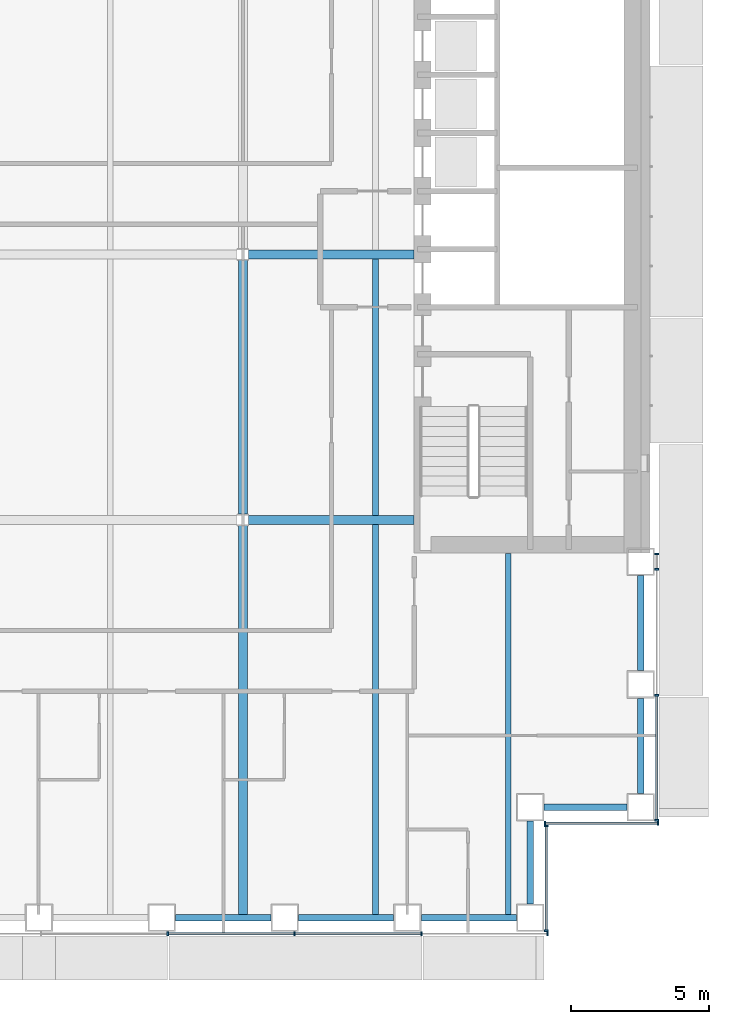
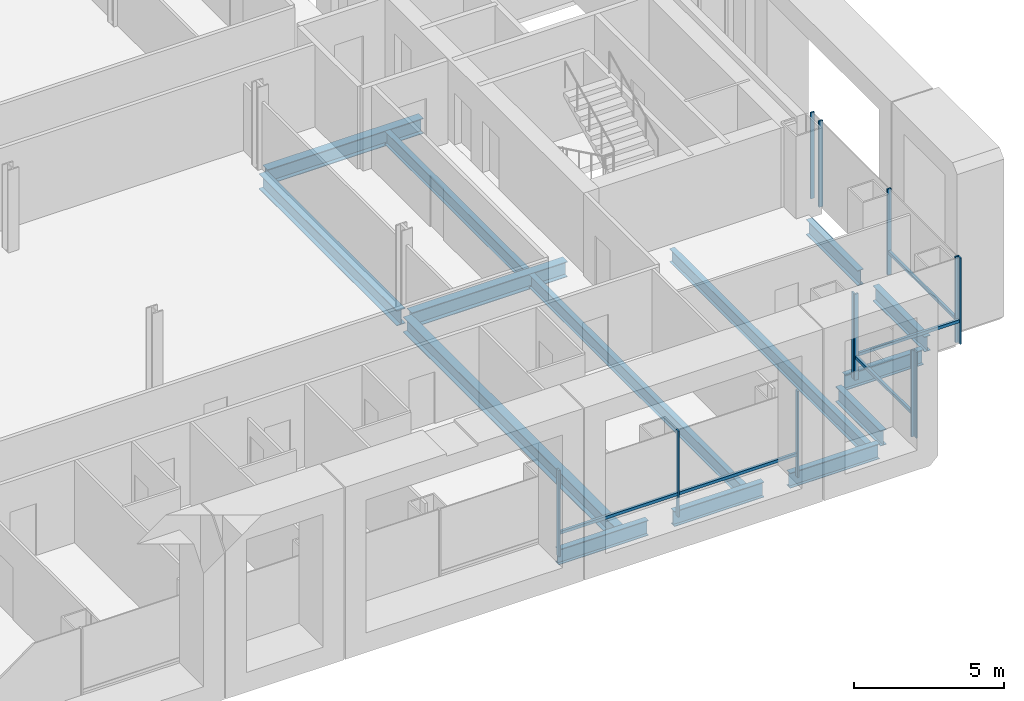
# One storey, part 4 of 25: 17 members, 14 beams, 4 elements without a shape of their own.
"""IFC4 building model written with IfcOpenShell, lengths in metres."""

from ifc_helpers import new_model, si_unit, direction, frame, origin, origin_2d, place, context, subcontext, project, spatial, rectangle, i_section, extrude, material, material_profile, profile_set, type_object, element, aggregate, save


model = new_model("IFC4")

# Units and contexts
model_context = context("Model", 3, precision=1e-05, world=origin(), true_north=direction((0.0, 1.0)))
body_context = subcontext(model_context, "Body", "Model", "MODEL_VIEW")
ifc_project = project(units=[si_unit("LENGTHUNIT", "METRE"), si_unit("AREAUNIT", "SQUARE_METRE"), si_unit("VOLUMEUNIT", "CUBIC_METRE"), si_unit("PLANEANGLEUNIT", "RADIAN"), si_unit("MASSUNIT", "GRAM", prefix="KILO")], contexts=[model_context])

# Site, building, storey
site_placement = place(None, origin())
site = spatial("IfcSite", under=ifc_project, at=site_placement, CompositionType="ELEMENT")
building_placement = place(site_placement, origin())
building = spatial("IfcBuilding", under=site, at=building_placement, Name="Cobrizo Arcos Hotel Tower", CompositionType="ELEMENT")
storey_placement = place(building_placement, frame((0.0, 0.0, 46.0)))
storey = spatial("IfcBuildingStorey", under=building, at=storey_placement, Name="L09", CompositionType="ELEMENT", Elevation=46.0)

# Curtain wall, members
ifc_material_1 = material(Name="Aluminium 6063-T6 anodised bronze", Category="aluminium")
curtain_wall_type = type_object("IfcCurtainWallType", Name="CW-A guest facade", PredefinedType="NOTDEFINED", material=ifc_material_1)
curtain_wall_1_placement = place(storey_placement, origin())
curtain_wall_1 = element("IfcCurtainWall", 1, at=curtain_wall_1_placement, inside=storey, type_object=curtain_wall_type, Name="CW-A L09 S face", PredefinedType="NOTDEFINED")
ifc_material_profile_1 = material_profile(ifc_material_1, rectangle(XDim=0.14990234375, YDim=0.06005859375, at=origin_2d()), Name="CW-A mullion 150x60")
ifc_profile_set_1 = profile_set([ifc_material_profile_1], Name="Aluminium 6063-T6 anodised bronze")
member_type_1 = type_object("IfcMemberType", Name="CW-A mullion 150x60", PredefinedType="MULLION", material=ifc_profile_set_1)
member_1_placement = place(storey_placement, frame((6.88330078125, -24.574951171875, 0.0), z_axis=(0.0, 0.0, 1.0), x_axis=(0.0, -1.0, 0.0)))
member_1 = element("IfcMember", 2, at=member_1_placement, type_object=member_type_1, Name="CW-A mullion 7", PredefinedType="MULLION", context=body_context, shape_type="SweptSolid", body=[
    extrude(rectangle(XDim=0.14990234375, YDim=0.06005859375, at=origin_2d()), origin(), (0.0, 0.0, 1.0), 3.5),
])
member_2_placement = place(storey_placement, frame((11.47216796875, -24.574951171875, 0.0), z_axis=(0.0, 0.0, 1.0), x_axis=(0.0, -1.0, 0.0)))
member_2 = element("IfcMember", 3, at=member_2_placement, type_object=member_type_1, Name="CW-A mullion 8", PredefinedType="MULLION", context=body_context, shape_type="SweptSolid", body=[
    extrude(rectangle(XDim=0.14990234375, YDim=0.06005859375, at=origin_2d()), origin(), (0.0, 0.0, 1.0), 3.5),
])
member_3_placement = place(storey_placement, frame((16.06103515625, -24.574951171875, 0.0), z_axis=(0.0, 0.0, 1.0), x_axis=(0.0, -1.0, 0.0)))
member_3 = element("IfcMember", 4, at=member_3_placement, type_object=member_type_1, Name="CW-A mullion 9", PredefinedType="MULLION", context=body_context, shape_type="SweptSolid", body=[
    extrude(rectangle(XDim=0.14990234375, YDim=0.06005859375, at=origin_2d()), origin(), (0.0, 0.0, 1.0), 3.5),
])
member_4_placement = place(storey_placement, frame((20.6201171875, -24.574951171875, 0.0), z_axis=(0.0, 0.0, 1.0), x_axis=(0.0, -1.0, 0.0)))
member_4 = element("IfcMember", 5, at=member_4_placement, type_object=member_type_1, Name="CW-A mullion 10", PredefinedType="MULLION", context=body_context, shape_type="SweptSolid", body=[
    extrude(rectangle(XDim=0.14990234375, YDim=0.06005859375, at=origin_2d()), origin(), (0.0, 0.0, 1.0), 3.5),
])

curtain_wall_2_placement = place(storey_placement, origin())
curtain_wall_2 = element("IfcCurtainWall", 6, at=curtain_wall_2_placement, inside=storey, type_object=curtain_wall_type, Name="CW-A L09 E face", PredefinedType="NOTDEFINED")
member_5_placement = place(storey_placement, frame((20.574951171875, -24.469970703125, 0.0), z_axis=(0.0, 0.0, 1.0), x_axis=(1.0, 0.0, 0.0)))
member_5 = element("IfcMember", 7, at=member_5_placement, type_object=member_type_1, Name="CW-A mullion 1", PredefinedType="MULLION", context=body_context, shape_type="SweptSolid", body=[
    extrude(rectangle(XDim=0.14990234375, YDim=0.06005859375, at=origin_2d()), origin(), (0.0, 0.0, 1.0), 3.5),
])
member_6_placement = place(storey_placement, frame((20.574951171875, -20.679931640625, 0.0), z_axis=(0.0, 0.0, 1.0), x_axis=(1.0, 0.0, 0.0)))
member_6 = element("IfcMember", 8, at=member_6_placement, type_object=member_type_1, Name="CW-A mullion 2", PredefinedType="MULLION", context=body_context, shape_type="SweptSolid", body=[
    extrude(rectangle(XDim=0.14990234375, YDim=0.06005859375, at=origin_2d()), origin(), (0.0, 0.0, 1.0), 3.5),
])

curtain_wall_3_placement = place(storey_placement, origin())
curtain_wall_3 = element("IfcCurtainWall", 9, at=curtain_wall_3_placement, inside=storey, type_object=curtain_wall_type, Name="CW-A L09 S face", PredefinedType="NOTDEFINED")
member_7_placement = place(storey_placement, frame((20.530029296875, -20.574951171875, 0.0), z_axis=(0.0, 0.0, 1.0), x_axis=(0.0, -1.0, 0.0)))
member_7 = element("IfcMember", 10, at=member_7_placement, type_object=member_type_1, Name="CW-A mullion 1", PredefinedType="MULLION", context=body_context, shape_type="SweptSolid", body=[
    extrude(rectangle(XDim=0.14990234375, YDim=0.06005859375, at=origin_2d()), origin(), (0.0, 0.0, 1.0), 3.5),
])
member_8_placement = place(storey_placement, frame((24.6201171875, -20.574951171875, 0.0), z_axis=(0.0, 0.0, 1.0), x_axis=(0.0, -1.0, 0.0)))
member_8 = element("IfcMember", 11, at=member_8_placement, type_object=member_type_1, Name="CW-A mullion 2", PredefinedType="MULLION", context=body_context, shape_type="SweptSolid", body=[
    extrude(rectangle(XDim=0.14990234375, YDim=0.06005859375, at=origin_2d()), origin(), (0.0, 0.0, 1.0), 3.5),
])

curtain_wall_4_placement = place(storey_placement, origin())
curtain_wall_4 = element("IfcCurtainWall", 12, at=curtain_wall_4_placement, inside=storey, type_object=curtain_wall_type, Name="CW-A L09 E face", PredefinedType="NOTDEFINED")
member_9_placement = place(storey_placement, frame((24.574951171875, -20.469970703125, 0.0), z_axis=(0.0, 0.0, 1.0), x_axis=(1.0, 0.0, 0.0)))
member_9 = element("IfcMember", 13, at=member_9_placement, type_object=member_type_1, Name="CW-A mullion 1", PredefinedType="MULLION", context=body_context, shape_type="SweptSolid", body=[
    extrude(rectangle(XDim=0.14990234375, YDim=0.06005859375, at=origin_2d()), origin(), (0.0, 0.0, 1.0), 3.5),
])
member_10_placement = place(storey_placement, frame((24.574951171875, -15.9443359375, 0.0), z_axis=(0.0, 0.0, 1.0), x_axis=(1.0, 0.0, 0.0)))
member_10 = element("IfcMember", 14, at=member_10_placement, type_object=member_type_1, Name="CW-A mullion 2", PredefinedType="MULLION", context=body_context, shape_type="SweptSolid", body=[
    extrude(rectangle(XDim=0.14990234375, YDim=0.06005859375, at=origin_2d()), origin(), (0.0, 0.0, 1.0), 3.5),
])
member_11_placement = place(storey_placement, frame((24.574951171875, -11.388916015625, 0.0), z_axis=(0.0, 0.0, 1.0), x_axis=(1.0, 0.0, 0.0)))
member_11 = element("IfcMember", 15, at=member_11_placement, type_object=member_type_1, Name="CW-A mullion 3", PredefinedType="MULLION", context=body_context, shape_type="SweptSolid", body=[
    extrude(rectangle(XDim=0.14990234375, YDim=0.06005859375, at=origin_2d()), origin(), (0.0, 0.0, 1.0), 3.5),
])
member_12_placement = place(storey_placement, frame((24.574951171875, -10.830078125, 0.0), z_axis=(0.0, 0.0, 1.0), x_axis=(1.0, 0.0, 0.0)))
member_12 = element("IfcMember", 16, at=member_12_placement, type_object=member_type_1, Name="CW-A mullion 4", PredefinedType="MULLION", context=body_context, shape_type="SweptSolid", body=[
    extrude(rectangle(XDim=0.14990234375, YDim=0.06005859375, at=origin_2d()), origin(), (0.0, 0.0, 1.0), 3.5),
])

# Member
ifc_material_profile_2 = material_profile(ifc_material_1, rectangle(XDim=0.10009765625, YDim=0.1201171875, at=origin_2d()), Name="CW-A transom 120x100")
ifc_profile_set_2 = profile_set([ifc_material_profile_2], Name="Aluminium 6063-T6 anodised bronze")
member_type_2 = type_object("IfcMemberType", Name="CW-A transom 120x100", PredefinedType="USERDEFINED", material=ifc_profile_set_2)
member_13_placement = place(storey_placement, frame((6.913330078125, -24.574951171875, 0.929931640625), z_axis=(1.0, 0.0, 0.0), x_axis=(0.0, 1.0, 0.0)))
member_13 = element("IfcMember", 17, at=member_13_placement, type_object=member_type_2, Name="CW-A transom 443", ObjectType="TRANSOM", PredefinedType="USERDEFINED", context=body_context, shape_type="SweptSolid", body=[
    extrude(rectangle(XDim=0.10009765625, YDim=0.1201171875, at=origin_2d()), origin(), (0.0, 0.0, 1.0), 4.52880859375),
])

member_14_placement = place(storey_placement, frame((11.502197265625, -24.574951171875, 0.929931640625), z_axis=(1.0, 0.0, 0.0), x_axis=(0.0, 1.0, 0.0)))
member_14 = element("IfcMember", 18, at=member_14_placement, type_object=member_type_2, Name="CW-A transom 444", ObjectType="TRANSOM", PredefinedType="USERDEFINED", context=body_context, shape_type="SweptSolid", body=[
    extrude(rectangle(XDim=0.10009765625, YDim=0.1201171875, at=origin_2d()), origin(), (0.0, 0.0, 1.0), 4.52880859375),
])

aggregate(curtain_wall_1, [member_1, member_2, member_3, member_4, member_13, member_14])

member_15_placement = place(storey_placement, frame((20.574951171875, -24.43994140625, 0.929931640625), z_axis=(0.0, 1.0, 0.0), x_axis=(-1.0, 0.0, 0.0)))
member_15 = element("IfcMember", 19, at=member_15_placement, type_object=member_type_2, Name="CW-A transom 446", ObjectType="TRANSOM", PredefinedType="USERDEFINED", context=body_context, shape_type="SweptSolid", body=[
    extrude(rectangle(XDim=0.10009765625, YDim=0.1201171875, at=origin_2d()), origin(), (0.0, 0.0, 1.0), 3.72998046875),
])

aggregate(curtain_wall_2, [member_5, member_6, member_15])

member_16_placement = place(storey_placement, frame((20.56005859375, -20.574951171875, 0.929931640625), z_axis=(1.0, 0.0, 0.0), x_axis=(0.0, 1.0, 0.0)))
member_16 = element("IfcMember", 20, at=member_16_placement, type_object=member_type_2, Name="CW-A transom 447", ObjectType="TRANSOM", PredefinedType="USERDEFINED", context=body_context, shape_type="SweptSolid", body=[
    extrude(rectangle(XDim=0.10009765625, YDim=0.1201171875, at=origin_2d()), origin(), (0.0, 0.0, 1.0), 4.030029296875),
])

aggregate(curtain_wall_3, [member_7, member_8, member_16])

member_17_placement = place(storey_placement, frame((24.574951171875, -20.43994140625, 0.929931640625), z_axis=(0.0, 1.0, 0.0), x_axis=(-1.0, 0.0, 0.0)))
member_17 = element("IfcMember", 21, at=member_17_placement, type_object=member_type_2, Name="CW-A transom 448", ObjectType="TRANSOM", PredefinedType="USERDEFINED", context=body_context, shape_type="SweptSolid", body=[
    extrude(rectangle(XDim=0.10009765625, YDim=0.1201171875, at=origin_2d()), origin(), (0.0, 0.0, 1.0), 4.465576171875),
])

aggregate(curtain_wall_4, [member_9, member_10, member_11, member_12, member_17])

# Beams
ifc_material_2 = material(Name="Steel ASTM A992 Grade 50", Category="steel")
ifc_material_profile_3 = material_profile(ifc_material_2, i_section(OverallWidth=0.209228515625, OverallDepth=0.533447265625, WebThickness=0.01025390625, FlangeThickness=0.015625, at=origin_2d()), Name="W21X62")
ifc_profile_set_3 = profile_set([ifc_material_profile_3], Name="Steel ASTM A992 Grade 50")
beam_type_1 = type_object("IfcBeamType", Name="W21X62 joist", PredefinedType="JOIST", material=ifc_profile_set_3)
beam_1_placement = place(storey_placement, frame((14.39990234375, -23.909912109375, -0.416748046875), z_axis=(0.0, 1.0, 0.0), x_axis=(-1.0, 0.0, 0.0)))
element("IfcBeam", 22, at=beam_1_placement, inside=storey, type_object=beam_type_1, Name="Floor joist J1, L09, no. 015", PredefinedType="JOIST", context=body_context, shape_type="SweptSolid", body=[
    extrude(i_section(OverallWidth=0.209228515625, OverallDepth=0.533447265625, WebThickness=0.01025390625, FlangeThickness=0.015625, at=origin_2d()), origin(), (0.0, 0.0, 1.0), 14.14599609375),
])
beam_2_placement = place(storey_placement, frame((14.39990234375, -9.43603515625, -0.416748046875), z_axis=(0.0, 1.0, 0.0), x_axis=(-1.0, 0.0, 0.0)))
element("IfcBeam", 23, at=beam_2_placement, inside=storey, type_object=beam_type_1, Name="Floor joist J1, L09, no. 016", PredefinedType="JOIST", context=body_context, shape_type="SweptSolid", body=[
    extrude(i_section(OverallWidth=0.209228515625, OverallDepth=0.533447265625, WebThickness=0.01025390625, FlangeThickness=0.015625, at=origin_2d()), origin(), (0.0, 0.0, 1.0), 9.272216796875),
])
beam_3_placement = place(storey_placement, frame((19.199951171875, -23.909912109375, -0.416748046875), z_axis=(0.0, 1.0, 0.0), x_axis=(-1.0, 0.0, 0.0)))
element("IfcBeam", 24, at=beam_3_placement, inside=storey, type_object=beam_type_1, Name="Floor joist J1, L09, no. 019", PredefinedType="JOIST", context=body_context, shape_type="SweptSolid", body=[
    extrude(i_section(OverallWidth=0.209228515625, OverallDepth=0.533447265625, WebThickness=0.01025390625, FlangeThickness=0.015625, at=origin_2d()), origin(), (0.0, 0.0, 1.0), 13.099853515625),
])
ifc_material_profile_4 = material_profile(ifc_material_2, i_section(OverallWidth=0.32763671875, OverallDepth=0.622314453125, WebThickness=0.015380859375, FlangeThickness=0.0244140625, at=origin_2d()), Name="W24X131")
ifc_profile_set_4 = profile_set([ifc_material_profile_4], Name="Steel ASTM A992 Grade 50")
beam_type_2 = type_object("IfcBeamType", Name="W24X131 girder", PredefinedType="BEAM", material=ifc_profile_set_4)
for number, where, z_axis, x_axis, name in (
    (25, (9.804443359375, -9.60009765625, -0.461181640625), (1.0, 0.0, 0.0), (0.0, 1.0, 0.0), "Floor girder G1, L09, no. 004"),
    (26, (9.804443359375, 0.0, -0.461181640625), (1.0, 0.0, 0.0), (0.0, 1.0, 0.0), "Floor girder G1, L09, no. 008"),
):
    element("IfcBeam", number, at=place(storey_placement, frame(where, z_axis=z_axis, x_axis=x_axis)), inside=storey, type_object=beam_type_2, Name=name, PredefinedType="BEAM", context=body_context, shape_type="SweptSolid", body=[
        extrude(i_section(OverallWidth=0.32763671875, OverallDepth=0.622314453125, WebThickness=0.015380859375, FlangeThickness=0.0244140625, at=origin_2d()), origin(), (0.0, 0.0, 1.0), 5.985595703125),
    ])
beam_4_placement = place(storey_placement, frame((9.60009765625, -23.909912109375, -0.461181640625), z_axis=(0.0, 1.0, 0.0), x_axis=(-1.0, 0.0, 0.0)))
element("IfcBeam", 27, at=beam_4_placement, inside=storey, type_object=beam_type_2, Name="Floor girder G1, L09, no. 021", PredefinedType="BEAM", context=body_context, shape_type="SweptSolid", body=[
    extrude(i_section(OverallWidth=0.32763671875, OverallDepth=0.622314453125, WebThickness=0.015380859375, FlangeThickness=0.0244140625, at=origin_2d()), origin(), (0.0, 0.0, 1.0), 14.10546875),
])
beam_5_placement = place(storey_placement, frame((9.60009765625, -9.3955078125, -0.461181640625), z_axis=(0.0, 1.0, 0.0), x_axis=(-1.0, 0.0, 0.0)))
element("IfcBeam", 28, at=beam_5_placement, inside=storey, type_object=beam_type_2, Name="Floor girder G1, L09, no. 022", PredefinedType="BEAM", context=body_context, shape_type="SweptSolid", body=[
    extrude(i_section(OverallWidth=0.32763671875, OverallDepth=0.622314453125, WebThickness=0.015380859375, FlangeThickness=0.0244140625, at=origin_2d()), origin(), (0.0, 0.0, 1.0), 9.191162109375),
])
ifc_material_profile_5 = material_profile(ifc_material_2, i_section(OverallWidth=0.23046875, OverallDepth=0.6171875, WebThickness=0.01318359375, FlangeThickness=0.022216796875, at=origin_2d()), Name="W24X94")
ifc_profile_set_5 = profile_set([ifc_material_profile_5], Name="Steel ASTM A992 Grade 50")
beam_type_3 = type_object("IfcBeamType", Name="W24X94 spandrel", PredefinedType="SPANDREL", material=ifc_profile_set_5)
beam_6_placement = place(storey_placement, frame((7.1669921875, -24.0, -0.45849609375), z_axis=(1.0, 0.0, 0.0), x_axis=(0.0, 1.0, 0.0)))
element("IfcBeam", 29, at=beam_6_placement, inside=storey, type_object=beam_type_3, Name="Spandrel beam W24X94, L09, no. 007", PredefinedType="SPANDREL", context=body_context, shape_type="SweptSolid", body=[
    extrude(i_section(OverallWidth=0.23046875, OverallDepth=0.6171875, WebThickness=0.01318359375, FlangeThickness=0.022216796875, at=origin_2d()), origin(), (0.0, 0.0, 1.0), 3.444091796875),
])
beam_7_placement = place(storey_placement, frame((11.611083984375, -24.0, -0.45849609375), z_axis=(1.0, 0.0, 0.0), x_axis=(0.0, 1.0, 0.0)))
element("IfcBeam", 30, at=beam_7_placement, inside=storey, type_object=beam_type_3, Name="Spandrel beam W24X94, L09, no. 008", PredefinedType="SPANDREL", context=body_context, shape_type="SweptSolid", body=[
    extrude(i_section(OverallWidth=0.23046875, OverallDepth=0.6171875, WebThickness=0.01318359375, FlangeThickness=0.022216796875, at=origin_2d()), origin(), (0.0, 0.0, 1.0), 3.44482421875),
])
beam_8_placement = place(storey_placement, frame((16.055908203125, -24.0, -0.45849609375), z_axis=(1.0, 0.0, 0.0), x_axis=(0.0, 1.0, 0.0)))
element("IfcBeam", 31, at=beam_8_placement, inside=storey, type_object=beam_type_3, Name="Spandrel beam W24X94, L09, no. 009", PredefinedType="SPANDREL", context=body_context, shape_type="SweptSolid", body=[
    extrude(i_section(OverallWidth=0.23046875, OverallDepth=0.6171875, WebThickness=0.01318359375, FlangeThickness=0.022216796875, at=origin_2d()), origin(), (0.0, 0.0, 1.0), 3.444091796875),
])
for number, where, z_axis, x_axis, name in (
    (32, (20.0, -23.5, -0.45849609375), (0.0, 1.0, 0.0), (-1.0, 0.0, 0.0), "Spandrel beam W24X94, L09, no. 010"),
    (33, (20.5, -20.0, -0.45849609375), (1.0, 0.0, 0.0), (0.0, 1.0, 0.0), "Spandrel beam W24X94, L09, no. 011"),
):
    element("IfcBeam", number, at=place(storey_placement, frame(where, z_axis=z_axis, x_axis=x_axis)), inside=storey, type_object=beam_type_3, Name=name, PredefinedType="SPANDREL", context=body_context, shape_type="SweptSolid", body=[
        extrude(i_section(OverallWidth=0.23046875, OverallDepth=0.6171875, WebThickness=0.01318359375, FlangeThickness=0.022216796875, at=origin_2d()), origin(), (0.0, 0.0, 1.0), 3.0),
    ])
beam_9_placement = place(storey_placement, frame((24.0, -19.5, -0.45849609375), z_axis=(0.0, 1.0, 0.0), x_axis=(-1.0, 0.0, 0.0)))
element("IfcBeam", 34, at=beam_9_placement, inside=storey, type_object=beam_type_3, Name="Spandrel beam W24X94, L09, no. 012", PredefinedType="SPANDREL", context=body_context, shape_type="SweptSolid", body=[
    extrude(i_section(OverallWidth=0.23046875, OverallDepth=0.6171875, WebThickness=0.01318359375, FlangeThickness=0.022216796875, at=origin_2d()), origin(), (0.0, 0.0, 1.0), 3.444091796875),
])
beam_10_placement = place(storey_placement, frame((24.0, -15.055908203125, -0.45849609375), z_axis=(0.0, 1.0, 0.0), x_axis=(-1.0, 0.0, 0.0)))
element("IfcBeam", 35, at=beam_10_placement, inside=storey, type_object=beam_type_3, Name="Spandrel beam W24X94, L09, no. 013", PredefinedType="SPANDREL", context=body_context, shape_type="SweptSolid", body=[
    extrude(i_section(OverallWidth=0.23046875, OverallDepth=0.6171875, WebThickness=0.01318359375, FlangeThickness=0.022216796875, at=origin_2d()), origin(), (0.0, 0.0, 1.0), 3.44482421875),
])

save(model, "model.ifc")
